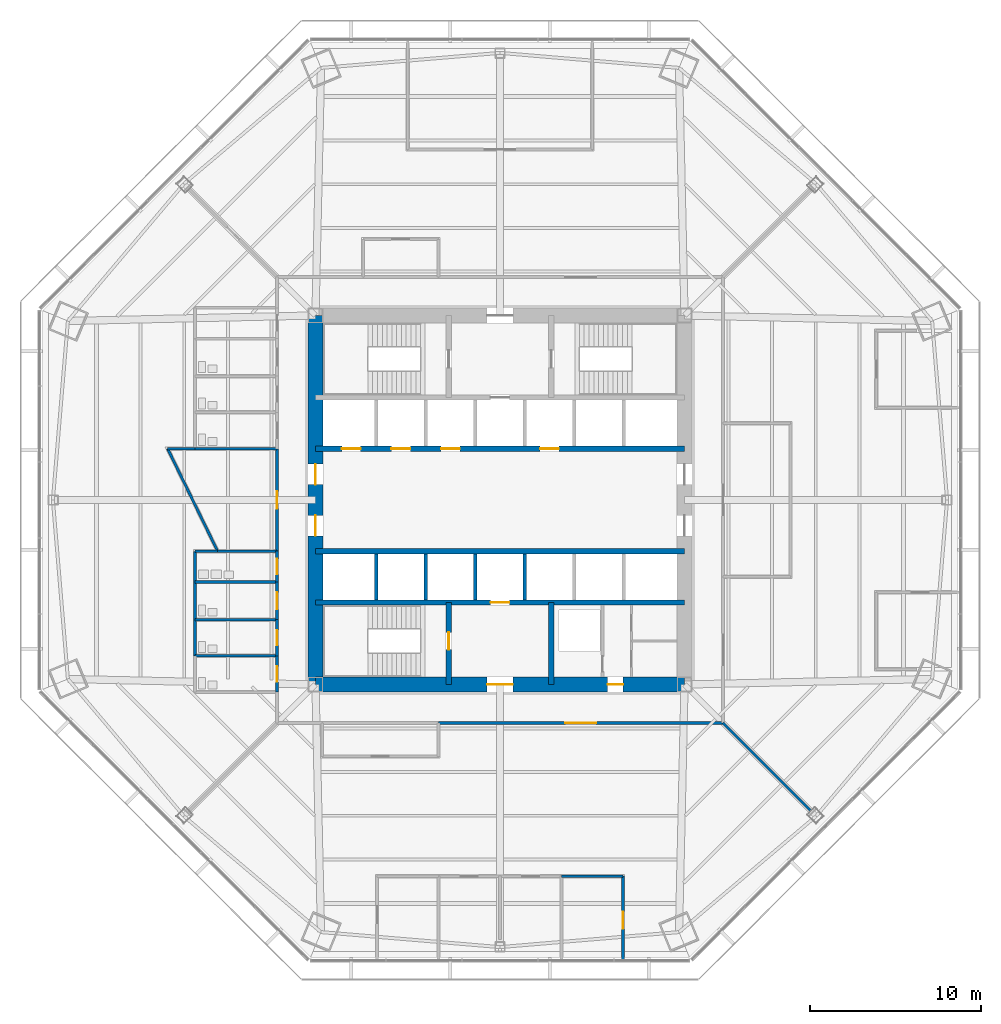
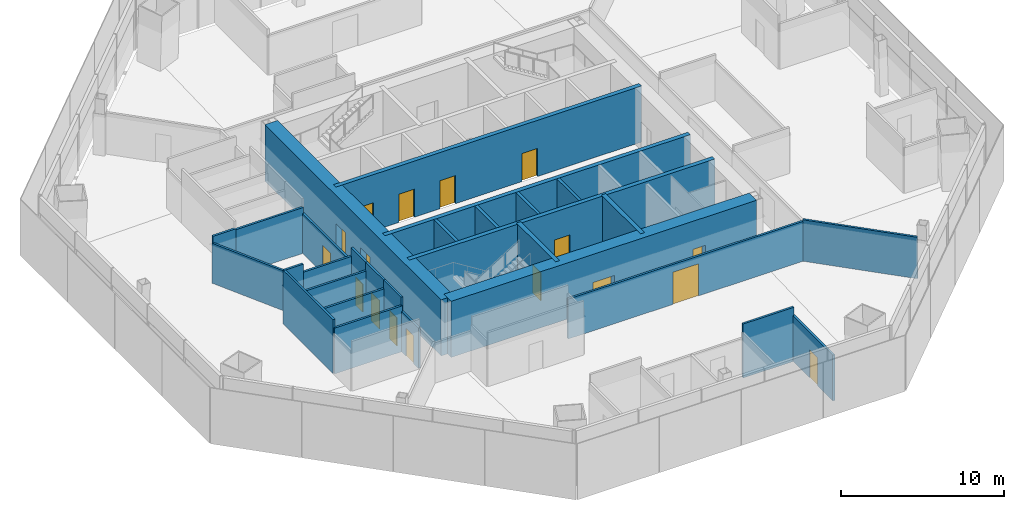
# One storey, part 9 of 15: 29 walls, 17 doors, 17 openings.
"""IFC4 building model written with IfcOpenShell, lengths in metres."""

from ifc_helpers import new_model, si_unit, direction, frame, frame_2d, origin, place, context, subcontext, project, spatial, rectangle, extrude, material, layer, layer_set, type_object, element, fill, save


model = new_model("IFC4")

# Units and contexts
model_context = context("Model", 3, precision=1e-05, world=origin(), true_north=direction((0.0, 1.0)))
body_context = subcontext(model_context, "Body", "Model", "MODEL_VIEW")
ifc_project = project(units=[si_unit("LENGTHUNIT", "METRE"), si_unit("AREAUNIT", "SQUARE_METRE"), si_unit("VOLUMEUNIT", "CUBIC_METRE"), si_unit("PLANEANGLEUNIT", "RADIAN"), si_unit("MASSUNIT", "GRAM", prefix="KILO")], contexts=[model_context])

# Site, building, storey
site_placement = place(None, origin())
site = spatial("IfcSite", under=ifc_project, at=site_placement, CompositionType="ELEMENT")
building_placement = place(site_placement, origin())
building = spatial("IfcBuilding", under=site, at=building_placement, Name="Mashrafa Tower", CompositionType="ELEMENT")
storey_placement = place(building_placement, frame((0.0, 0.0, 37.199951171875)))
storey = spatial("IfcBuildingStorey", under=building, at=storey_placement, Name="L07", CompositionType="ELEMENT", Elevation=37.199951171875)

# Wall, openings, doors
ifc_material_1 = material(Name="Concrete C60/75", Category="concrete")
ifc_layer_1 = layer(ifc_material_1, 0.300048828125)
ifc_layer_set_1 = layer_set([ifc_layer_1], Name="Core wall 300 C60/75")
wall_type_1 = type_object("IfcWallType", Name="Core wall 300 C60/75", PredefinedType="SOLIDWALL", material=ifc_layer_set_1)
wall_1_placement = place(storey_placement, frame((-10.800048828125, 3.0, 0.0), z_axis=(0.0, 0.0, 1.0), x_axis=(1.0, 0.0, 0.0)))
wall_1 = element("IfcWall", 1, at=wall_1_placement, inside=storey, type_object=wall_type_1, Name="Core wall CH-N L07", PredefinedType="SOLIDWALL", context=body_context, shape_type="SweptSolid", body=[
    extrude(rectangle(XDim=21.60009765625, YDim=0.300048828125, at=frame_2d((10.800048828125, 0.0))), origin(), (0.0, 0.0, 1.0), 4.199951171875),
])
opening_1_placement = place(wall_1_placement, frame((1.550048828125, 0.0, 0.0)))
opening_1 = element("IfcOpeningElement", 2, at=opening_1_placement, cuts=wall_1, Name="Opening 07.A1", PredefinedType="OPENING", context=body_context, shape_type="SweptSolid", body=[
    extrude(rectangle(XDim=1.10009765625, YDim=2.10009765625, at=frame_2d((0.550048828125, 1.050048828125))), frame((0.0, 0.159912109375, 0.0), z_axis=(0.0, -1.0, 0.0), x_axis=(1.0, 0.0, 0.0)), (0.0, 0.0, 1.0), 0.320068359375),
])
opening_2_placement = place(wall_1_placement, frame((4.449951171875, 0.0, 0.0)))
opening_2 = element("IfcOpeningElement", 3, at=opening_2_placement, cuts=wall_1, Name="Opening 07.A2", PredefinedType="OPENING", context=body_context, shape_type="SweptSolid", body=[
    extrude(rectangle(XDim=1.10009765625, YDim=2.10009765625, at=frame_2d((0.550048828125, 1.050048828125))), frame((0.0, 0.159912109375, 0.0), z_axis=(0.0, -1.0, 0.0), x_axis=(1.0, 0.0, 0.0)), (0.0, 0.0, 1.0), 0.320068359375),
])
opening_3_placement = place(wall_1_placement, frame((7.35009765625, 0.0, 0.0)))
opening_3 = element("IfcOpeningElement", 4, at=opening_3_placement, cuts=wall_1, Name="Opening 07.A3", PredefinedType="OPENING", context=body_context, shape_type="SweptSolid", body=[
    extrude(rectangle(XDim=1.10009765625, YDim=2.10009765625, at=frame_2d((0.550048828125, 1.050048828125))), frame((0.0, 0.159912109375, 0.0), z_axis=(0.0, -1.0, 0.0), x_axis=(1.0, 0.0, 0.0)), (0.0, 0.0, 1.0), 0.320068359375),
])
opening_4_placement = place(wall_1_placement, frame((13.14990234375, 0.0, 0.0)))
opening_4 = element("IfcOpeningElement", 5, at=opening_4_placement, cuts=wall_1, Name="Opening 07.A4", PredefinedType="OPENING", context=body_context, shape_type="SweptSolid", body=[
    extrude(rectangle(XDim=1.10009765625, YDim=2.10009765625, at=frame_2d((0.550048828125, 1.050048828125))), frame((0.0, 0.159912109375, 0.0), z_axis=(0.0, -1.0, 0.0), x_axis=(1.0, 0.0, 0.0)), (0.0, 0.0, 1.0), 0.320068359375),
])
ifc_material_2 = material(Name="Steel door", Category="steel")
door_type_1 = type_object("IfcDoorType", Name="Lift landing door 1100 x 2100 90 min", OperationType="DOUBLE_DOOR_SLIDING", PredefinedType="DOOR", material=ifc_material_2)
door_1_placement = place(opening_1_placement, origin())
door_1 = element("IfcDoor", 6, at=door_1_placement, inside=storey, type_object=door_type_1, Name="Lift landing door A1 L07", OperationType="DOUBLE_DOOR_SLIDING", OverallHeight=2.10009765625, OverallWidth=1.10009765625, PredefinedType="DOOR", context=body_context, shape_type="SweptSolid", body=[
    extrude(rectangle(XDim=1.10009765625, YDim=2.10009765625, at=frame_2d((0.550048828125, 1.050048828125))), frame((0.0, 0.02490234375, 0.0), z_axis=(0.0, -1.0, 0.0), x_axis=(1.0, 0.0, 0.0)), (0.0, 0.0, 1.0), 0.050048828125),
])
fill(opening_1, door_1)
door_2_placement = place(opening_2_placement, origin())
door_2 = element("IfcDoor", 7, at=door_2_placement, inside=storey, type_object=door_type_1, Name="Lift landing door A2 L07", OperationType="DOUBLE_DOOR_SLIDING", OverallHeight=2.10009765625, OverallWidth=1.10009765625, PredefinedType="DOOR", context=body_context, shape_type="SweptSolid", body=[
    extrude(rectangle(XDim=1.10009765625, YDim=2.10009765625, at=frame_2d((0.550048828125, 1.050048828125))), frame((0.0, 0.02490234375, 0.0), z_axis=(0.0, -1.0, 0.0), x_axis=(1.0, 0.0, 0.0)), (0.0, 0.0, 1.0), 0.050048828125),
])
fill(opening_2, door_2)
door_3_placement = place(opening_3_placement, origin())
door_3 = element("IfcDoor", 8, at=door_3_placement, inside=storey, type_object=door_type_1, Name="Lift landing door A3 L07", OperationType="DOUBLE_DOOR_SLIDING", OverallHeight=2.10009765625, OverallWidth=1.10009765625, PredefinedType="DOOR", context=body_context, shape_type="SweptSolid", body=[
    extrude(rectangle(XDim=1.10009765625, YDim=2.10009765625, at=frame_2d((0.550048828125, 1.050048828125))), frame((0.0, 0.02490234375, 0.0), z_axis=(0.0, -1.0, 0.0), x_axis=(1.0, 0.0, 0.0)), (0.0, 0.0, 1.0), 0.050048828125),
])
fill(opening_3, door_3)
door_4_placement = place(opening_4_placement, origin())
door_4 = element("IfcDoor", 9, at=door_4_placement, inside=storey, type_object=door_type_1, Name="Lift landing door A4 L07", OperationType="DOUBLE_DOOR_SLIDING", OverallHeight=2.10009765625, OverallWidth=1.10009765625, PredefinedType="DOOR", context=body_context, shape_type="SweptSolid", body=[
    extrude(rectangle(XDim=1.10009765625, YDim=2.10009765625, at=frame_2d((0.550048828125, 1.050048828125))), frame((0.0, 0.02490234375, 0.0), z_axis=(0.0, -1.0, 0.0), x_axis=(1.0, 0.0, 0.0)), (0.0, 0.0, 1.0), 0.050048828125),
])
fill(opening_4, door_4)

# Wall
wall_2_placement = place(storey_placement, frame((-10.800048828125, -3.0, 0.0), z_axis=(0.0, 0.0, 1.0), x_axis=(1.0, 0.0, 0.0)))
element("IfcWall", 10, at=wall_2_placement, inside=storey, type_object=wall_type_1, Name="Core wall CH-S L07", PredefinedType="SOLIDWALL", context=body_context, shape_type="SweptSolid", body=[
    extrude(rectangle(XDim=21.60009765625, YDim=0.300048828125, at=frame_2d((10.800048828125, 0.0))), origin(), (0.0, 0.0, 1.0), 4.199951171875),
])

# Wall, opening, door
wall_3_placement = place(storey_placement, frame((-10.800048828125, -6.0, 0.0), z_axis=(0.0, 0.0, 1.0), x_axis=(1.0, 0.0, 0.0)))
wall_3 = element("IfcWall", 11, at=wall_3_placement, inside=storey, type_object=wall_type_1, Name="Core wall CB-S L07", PredefinedType="SOLIDWALL", context=body_context, shape_type="SweptSolid", body=[
    extrude(rectangle(XDim=21.60009765625, YDim=0.300048828125, at=frame_2d((10.800048828125, 0.0))), origin(), (0.0, 0.0, 1.0), 4.199951171875),
])
opening_5_placement = place(wall_3_placement, frame((10.25, 0.0, 0.0)))
opening_5 = element("IfcOpeningElement", 12, at=opening_5_placement, cuts=wall_3, Name="Opening 07.F2", PredefinedType="OPENING", context=body_context, shape_type="SweptSolid", body=[
    extrude(rectangle(XDim=1.10009765625, YDim=2.10009765625, at=frame_2d((0.550048828125, 1.050048828125))), frame((0.0, 0.159912109375, 0.0), z_axis=(0.0, -1.0, 0.0), x_axis=(1.0, 0.0, 0.0)), (0.0, 0.0, 1.0), 0.320068359375),
])
door_5_placement = place(opening_5_placement, origin())
door_5 = element("IfcDoor", 13, at=door_5_placement, inside=storey, type_object=door_type_1, Name="Lift landing door F2 L07", OperationType="DOUBLE_DOOR_SLIDING", OverallHeight=2.10009765625, OverallWidth=1.10009765625, PredefinedType="DOOR", context=body_context, shape_type="SweptSolid", body=[
    extrude(rectangle(XDim=1.10009765625, YDim=2.10009765625, at=frame_2d((0.550048828125, 1.050048828125))), frame((0.0, 0.02490234375, 0.0), z_axis=(0.0, -1.0, 0.0), x_axis=(1.0, 0.0, 0.0)), (0.0, 0.0, 1.0), 0.050048828125),
])
fill(opening_5, door_5)

wall_4_placement = place(storey_placement, frame((-3.0, -6.0, 0.0), z_axis=(0.0, 0.0, 1.0), x_axis=(0.0, -1.0, 0.0)))
wall_4 = element("IfcWall", 14, at=wall_4_placement, inside=storey, type_object=wall_type_1, Name="Core wall CX-SW L07", PredefinedType="SOLIDWALL", context=body_context, shape_type="SweptSolid", body=[
    extrude(rectangle(XDim=4.800048828125, YDim=0.300048828125, at=frame_2d((2.39990234375, 0.0))), origin(), (0.0, 0.0, 1.0), 4.199951171875),
])
opening_6_placement = place(wall_4_placement, frame((1.75, 0.0, 0.0)))
opening_6 = element("IfcOpeningElement", 15, at=opening_6_placement, cuts=wall_4, Name="Opening 07.032", PredefinedType="OPENING", context=body_context, shape_type="SweptSolid", body=[
    extrude(rectangle(XDim=1.0, YDim=2.10009765625, at=frame_2d((0.5, 1.050048828125))), frame((0.0, 0.159912109375, 0.0), z_axis=(0.0, -1.0, 0.0), x_axis=(1.0, 0.0, 0.0)), (0.0, 0.0, 1.0), 0.320068359375),
])
ifc_material_3 = material(Name="Steel door", Category="steel")
door_type_2 = type_object("IfcDoorType", Name="Stair door 1000 x 2100 90 min", OperationType="USERDEFINED", PredefinedType="DOOR", material=ifc_material_3)
door_6_placement = place(opening_6_placement, frame((1.0, 0.0, 0.0), z_axis=(0.0, 0.0, 1.0), x_axis=(-1.0, 0.0, 0.0)))
door_6 = element("IfcDoor", 16, at=door_6_placement, inside=storey, type_object=door_type_2, Name="Stair S3 door L07", OperationType="SINGLE_SWING_RIGHT", OverallHeight=2.10009765625, OverallWidth=1.0, PredefinedType="DOOR", context=body_context, shape_type="SweptSolid", body=[
    extrude(rectangle(XDim=1.0, YDim=2.10009765625, at=frame_2d((0.5, 1.050048828125))), frame((0.0, 0.02490234375, 0.0), z_axis=(0.0, -1.0, 0.0), x_axis=(1.0, 0.0, 0.0)), (0.0, 0.0, 1.0), 0.050048828125),
])
fill(opening_6, door_6)

# Wall
wall_5_placement = place(storey_placement, frame((3.0, -6.0, 0.0), z_axis=(0.0, 0.0, 1.0), x_axis=(0.0, -1.0, 0.0)))
element("IfcWall", 17, at=wall_5_placement, inside=storey, type_object=wall_type_1, Name="Core wall CX-SE L07", PredefinedType="SOLIDWALL", context=body_context, shape_type="SweptSolid", body=[
    extrude(rectangle(XDim=4.800048828125, YDim=0.300048828125, at=frame_2d((2.39990234375, 0.0))), origin(), (0.0, 0.0, 1.0), 4.199951171875),
])

# Wall, openings, doors
ifc_material_4 = material(Name="Concrete C60/75", Category="concrete")
ifc_layer_2 = layer(ifc_material_4, 0.89990234375)
ifc_layer_set_2 = layer_set([ifc_layer_2], Name="Core wall 900 C60/75")
wall_type_2 = type_object("IfcWallType", Name="Core wall 900 C60/75", PredefinedType="SOLIDWALL", material=ifc_layer_set_2)
wall_6_placement = place(storey_placement, frame((-10.800048828125, -10.800048828125, 0.0), z_axis=(0.0, 0.0, 1.0), x_axis=(1.0, 0.0, 0.0)))
wall_6 = element("IfcWall", 18, at=wall_6_placement, inside=storey, type_object=wall_type_2, Name="Core wall CW-S L07", PredefinedType="SOLIDWALL", context=body_context, shape_type="SweptSolid", body=[
    extrude(rectangle(XDim=21.60009765625, YDim=0.89990234375, at=frame_2d((10.800048828125, 0.0))), origin(), (0.0, 0.0, 1.0), 4.199951171875),
])
opening_7_placement = place(wall_6_placement, frame((10.050048828125, 0.0, 0.0)))
opening_7 = element("IfcOpeningElement", 19, at=opening_7_placement, cuts=wall_6, Name="Opening 07.029", PredefinedType="OPENING", context=body_context, shape_type="SweptSolid", body=[
    extrude(rectangle(XDim=1.5, YDim=2.10009765625, at=frame_2d((0.75, 1.050048828125))), frame((0.0, 0.4599609375, 0.0), z_axis=(0.0, -1.0, 0.0), x_axis=(1.0, 0.0, 0.0)), (0.0, 0.0, 1.0), 0.919921875),
])
opening_8_placement = place(wall_6_placement, frame((17.10009765625, 0.0, 0.0)))
opening_8 = element("IfcOpeningElement", 20, at=opening_8_placement, cuts=wall_6, Name="Opening 07.033", PredefinedType="OPENING", context=body_context, shape_type="SweptSolid", body=[
    extrude(rectangle(XDim=0.89990234375, YDim=2.10009765625, at=frame_2d((0.449951171875, 1.050048828125))), frame((0.0, 0.4599609375, 0.0), z_axis=(0.0, -1.0, 0.0), x_axis=(1.0, 0.0, 0.0)), (0.0, 0.0, 1.0), 0.919921875),
])
ifc_material_5 = material(Name="Steel door", Category="steel")
door_type_3 = type_object("IfcDoorType", Name="Lobby door pair 1500 x 2100 90 min", OperationType="DOUBLE_DOOR_SINGLE_SWING", PredefinedType="DOOR", material=ifc_material_5)
door_7_placement = place(opening_7_placement, origin())
door_7 = element("IfcDoor", 21, at=door_7_placement, inside=storey, type_object=door_type_3, Name="Fire-fighting lobby F2 door L07", OperationType="DOUBLE_DOOR_SINGLE_SWING", OverallHeight=2.10009765625, OverallWidth=1.5, PredefinedType="DOOR", context=body_context, shape_type="SweptSolid", body=[
    extrude(rectangle(XDim=1.5, YDim=2.10009765625, at=frame_2d((0.75, 1.050048828125))), frame((0.0, 0.02490234375, 0.0), z_axis=(0.0, -1.0, 0.0), x_axis=(1.0, 0.0, 0.0)), (0.0, 0.0, 1.0), 0.050048828125),
])
fill(opening_7, door_7)
ifc_material_6 = material(Name="Steel door", Category="steel")
door_type_4 = type_object("IfcDoorType", Name="Service door 900 x 2100 90 min", OperationType="USERDEFINED", PredefinedType="DOOR", material=ifc_material_6)
door_8_placement = place(opening_8_placement, frame((0.89990234375, 0.0, 0.0), z_axis=(0.0, 0.0, 1.0), x_axis=(-1.0, 0.0, 0.0)))
door_8 = element("IfcDoor", 22, at=door_8_placement, inside=storey, type_object=door_type_4, Name="Services Lobby L07 door", OperationType="SINGLE_SWING_LEFT", OverallHeight=2.10009765625, OverallWidth=0.89990234375, PredefinedType="DOOR", context=body_context, shape_type="SweptSolid", body=[
    extrude(rectangle(XDim=0.89990234375, YDim=2.10009765625, at=frame_2d((0.449951171875, 1.050048828125))), frame((0.0, 0.02490234375, 0.0), z_axis=(0.0, -1.0, 0.0), x_axis=(1.0, 0.0, 0.0)), (0.0, 0.0, 1.0), 0.050048828125),
])
fill(opening_8, door_8)

wall_7_placement = place(storey_placement, frame((-10.800048828125, 10.800048828125, 0.0), z_axis=(0.0, 0.0, 1.0), x_axis=(0.0, -1.0, 0.0)))
wall_7 = element("IfcWall", 23, at=wall_7_placement, inside=storey, type_object=wall_type_2, Name="Core wall CW-W L07", PredefinedType="SOLIDWALL", context=body_context, shape_type="SweptSolid", body=[
    extrude(rectangle(XDim=21.60009765625, YDim=0.89990234375, at=frame_2d((10.800048828125, 0.0))), origin(), (0.0, 0.0, 1.0), 4.199951171875),
])
opening_9_placement = place(wall_7_placement, frame((8.699951171875, 0.0, 0.0)))
opening_9 = element("IfcOpeningElement", 24, at=opening_9_placement, cuts=wall_7, Name="Opening 07.025", PredefinedType="OPENING", context=body_context, shape_type="SweptSolid", body=[
    extrude(rectangle(XDim=1.199951171875, YDim=2.10009765625, at=frame_2d((0.60009765625, 1.050048828125))), frame((0.0, 0.4599609375, 0.0), z_axis=(0.0, -1.0, 0.0), x_axis=(1.0, 0.0, 0.0)), (0.0, 0.0, 1.0), 0.919921875),
])
opening_10_placement = place(wall_7_placement, frame((11.699951171875, 0.0, 0.0)))
opening_10 = element("IfcOpeningElement", 25, at=opening_10_placement, cuts=wall_7, Name="Opening 07.027", PredefinedType="OPENING", context=body_context, shape_type="SweptSolid", body=[
    extrude(rectangle(XDim=1.199951171875, YDim=2.10009765625, at=frame_2d((0.60009765625, 1.050048828125))), frame((0.0, 0.4599609375, 0.0), z_axis=(0.0, -1.0, 0.0), x_axis=(1.0, 0.0, 0.0)), (0.0, 0.0, 1.0), 0.919921875),
])
ifc_material_7 = material(Name="Steel door", Category="steel")
door_type_5 = type_object("IfcDoorType", Name="Lift hall door 1200 x 2100 90 min", OperationType="USERDEFINED", PredefinedType="DOOR", material=ifc_material_7)
door_9_placement = place(opening_9_placement, frame((1.199951171875, 0.0, 0.0), z_axis=(0.0, 0.0, 1.0), x_axis=(-1.0, 0.0, 0.0)))
door_9 = element("IfcDoor", 26, at=door_9_placement, inside=storey, type_object=door_type_5, Name="Lift hall door west L07", OperationType="SINGLE_SWING_RIGHT", OverallHeight=2.10009765625, OverallWidth=1.199951171875, PredefinedType="DOOR", context=body_context, shape_type="SweptSolid", body=[
    extrude(rectangle(XDim=1.199951171875, YDim=2.10009765625, at=frame_2d((0.60009765625, 1.050048828125))), frame((0.0, 0.02490234375, 0.0), z_axis=(0.0, -1.0, 0.0), x_axis=(1.0, 0.0, 0.0)), (0.0, 0.0, 1.0), 0.050048828125),
])
fill(opening_9, door_9)
door_10_placement = place(opening_10_placement, frame((1.199951171875, 0.0, 0.0), z_axis=(0.0, 0.0, 1.0), x_axis=(-1.0, 0.0, 0.0)))
door_10 = element("IfcDoor", 27, at=door_10_placement, inside=storey, type_object=door_type_5, Name="Lift hall door west L07", OperationType="SINGLE_SWING_LEFT", OverallHeight=2.10009765625, OverallWidth=1.199951171875, PredefinedType="DOOR", context=body_context, shape_type="SweptSolid", body=[
    extrude(rectangle(XDim=1.199951171875, YDim=2.10009765625, at=frame_2d((0.60009765625, 1.050048828125))), frame((0.0, 0.02490234375, 0.0), z_axis=(0.0, -1.0, 0.0), x_axis=(1.0, 0.0, 0.0)), (0.0, 0.0, 1.0), 0.050048828125),
])
fill(opening_10, door_10)

# Wall, opening, door
ifc_material_8 = material(Name="Gypsum board on steel studs", Category="steel")
ifc_layer_3 = layer(ifc_material_8, 0.14990234375)
ifc_layer_set_3 = layer_set([ifc_layer_3], Name="Corridor partition 150 1 hr")
wall_type_3 = type_object("IfcWallType", Name="Corridor partition 150 1 hr", PredefinedType="PARTITIONING", material=ifc_layer_set_3)
wall_8_placement = place(storey_placement, frame((-13.050048828125, -9.1240234375, 0.0), z_axis=(0.0, 0.0, 1.0), x_axis=(0.0, -1.0, 0.0)))
wall_8 = element("IfcWall", 28, at=wall_8_placement, inside=storey, type_object=wall_type_3, Name="Corridor wall L07-005", PredefinedType="PARTITIONING", context=body_context, shape_type="SweptSolid", body=[
    extrude(rectangle(XDim=2.126953125, YDim=0.14990234375, at=frame_2d((1.0634765625, 0.0))), origin(), (0.0, 0.0, 1.0), 3.01416015625),
])
opening_11_placement = place(wall_8_placement, frame((0.613525390625, 0.0, 0.0)))
opening_11 = element("IfcOpeningElement", 29, at=opening_11_placement, cuts=wall_8, Name="Opening 07.005", PredefinedType="OPENING", context=body_context, shape_type="SweptSolid", body=[
    extrude(rectangle(XDim=0.89990234375, YDim=2.10009765625, at=frame_2d((0.449951171875, 1.050048828125))), frame((0.0, 0.0849609375, 0.0), z_axis=(0.0, -1.0, 0.0), x_axis=(1.0, 0.0, 0.0)), (0.0, 0.0, 1.0), 0.169921875),
])
ifc_material_9 = material(Name="Timber door", Category="wood")
door_type_6 = type_object("IfcDoorType", Name="Toilet door 900 x 2100", OperationType="USERDEFINED", PredefinedType="DOOR", material=ifc_material_9)
door_11_placement = place(opening_11_placement, frame((0.89990234375, 0.0, 0.0), z_axis=(0.0, 0.0, 1.0), x_axis=(-1.0, 0.0, 0.0)))
door_11 = element("IfcDoor", 30, at=door_11_placement, inside=storey, type_object=door_type_6, Name="WC Female L07 S door", OperationType="SINGLE_SWING_RIGHT", OverallHeight=2.10009765625, OverallWidth=0.89990234375, PredefinedType="DOOR", context=body_context, shape_type="SweptSolid", body=[
    extrude(rectangle(XDim=0.89990234375, YDim=2.10009765625, at=frame_2d((0.449951171875, 1.050048828125))), frame((0.0, 0.02490234375, 0.0), z_axis=(0.0, -1.0, 0.0), x_axis=(1.0, 0.0, 0.0)), (0.0, 0.0, 1.0), 0.050048828125),
])
fill(opening_11, door_11)

wall_9_placement = place(storey_placement, frame((-13.050048828125, -6.9990234375, 0.0), z_axis=(0.0, 0.0, 1.0), x_axis=(0.0, -1.0, 0.0)))
wall_9 = element("IfcWall", 31, at=wall_9_placement, inside=storey, type_object=wall_type_3, Name="Corridor wall L07-006", PredefinedType="PARTITIONING", context=body_context, shape_type="SweptSolid", body=[
    extrude(rectangle(XDim=2.126953125, YDim=0.14990234375, at=frame_2d((1.0634765625, 0.0))), origin(), (0.0, 0.0, 1.0), 4.03515625),
])
opening_12_placement = place(wall_9_placement, frame((0.613525390625, 0.0, 0.0)))
opening_12 = element("IfcOpeningElement", 32, at=opening_12_placement, cuts=wall_9, Name="Opening 07.006", PredefinedType="OPENING", context=body_context, shape_type="SweptSolid", body=[
    extrude(rectangle(XDim=0.89990234375, YDim=2.10009765625, at=frame_2d((0.449951171875, 1.050048828125))), frame((0.0, 0.0849609375, 0.0), z_axis=(0.0, -1.0, 0.0), x_axis=(1.0, 0.0, 0.0)), (0.0, 0.0, 1.0), 0.169921875),
])
door_12_placement = place(opening_12_placement, frame((0.89990234375, 0.0, 0.0), z_axis=(0.0, 0.0, 1.0), x_axis=(-1.0, 0.0, 0.0)))
door_12 = element("IfcDoor", 33, at=door_12_placement, inside=storey, type_object=door_type_6, Name="WC Male L07 S door", OperationType="SINGLE_SWING_RIGHT", OverallHeight=2.10009765625, OverallWidth=0.89990234375, PredefinedType="DOOR", context=body_context, shape_type="SweptSolid", body=[
    extrude(rectangle(XDim=0.89990234375, YDim=2.10009765625, at=frame_2d((0.449951171875, 1.050048828125))), frame((0.0, 0.02490234375, 0.0), z_axis=(0.0, -1.0, 0.0), x_axis=(1.0, 0.0, 0.0)), (0.0, 0.0, 1.0), 0.050048828125),
])
fill(opening_12, door_12)

wall_10_placement = place(storey_placement, frame((-13.050048828125, -4.799072265625, 0.0), z_axis=(0.0, 0.0, 1.0), x_axis=(0.0, -1.0, 0.0)))
wall_10 = element("IfcWall", 34, at=wall_10_placement, inside=storey, type_object=wall_type_3, Name="Corridor wall L07-007", PredefinedType="PARTITIONING", context=body_context, shape_type="SweptSolid", body=[
    extrude(rectangle(XDim=2.201904296875, YDim=0.14990234375, at=frame_2d((1.10107421875, 0.0))), origin(), (0.0, 0.0, 1.0), 4.03515625),
])
opening_13_placement = place(wall_10_placement, frame((0.60107421875, 0.0, 0.0)))
opening_13 = element("IfcOpeningElement", 35, at=opening_13_placement, cuts=wall_10, Name="Opening 07.007", PredefinedType="OPENING", context=body_context, shape_type="SweptSolid", body=[
    extrude(rectangle(XDim=1.0, YDim=2.10009765625, at=frame_2d((0.5, 1.050048828125))), frame((0.0, 0.0849609375, 0.0), z_axis=(0.0, -1.0, 0.0), x_axis=(1.0, 0.0, 0.0)), (0.0, 0.0, 1.0), 0.169921875),
])
ifc_material_10 = material(Name="Timber door", Category="wood")
door_type_7 = type_object("IfcDoorType", Name="Accessible toilet door 1000 x 2100", OperationType="USERDEFINED", PredefinedType="DOOR", material=ifc_material_10)
door_13_placement = place(opening_13_placement, frame((1.0, 0.0, 0.0), z_axis=(0.0, 0.0, 1.0), x_axis=(-1.0, 0.0, 0.0)))
door_13 = element("IfcDoor", 36, at=door_13_placement, inside=storey, type_object=door_type_7, Name="Accessible WC L07 S door", OperationType="SINGLE_SWING_LEFT", OverallHeight=2.10009765625, OverallWidth=1.0, PredefinedType="DOOR", context=body_context, shape_type="SweptSolid", body=[
    extrude(rectangle(XDim=1.0, YDim=2.10009765625, at=frame_2d((0.5, 1.050048828125))), frame((0.0, 0.02490234375, 0.0), z_axis=(0.0, -1.0, 0.0), x_axis=(1.0, 0.0, 0.0)), (0.0, 0.0, 1.0), 0.050048828125),
])
fill(opening_13, door_13)

wall_11_placement = place(storey_placement, frame((-13.050048828125, -2.9990234375, 0.0), z_axis=(0.0, 0.0, 1.0), x_axis=(0.0, -1.0, 0.0)))
wall_11 = element("IfcWall", 37, at=wall_11_placement, inside=storey, type_object=wall_type_3, Name="Corridor wall L07-008", PredefinedType="PARTITIONING", context=body_context, shape_type="SweptSolid", body=[
    extrude(rectangle(XDim=1.802001953125, YDim=0.14990234375, at=frame_2d((0.90087890625, 0.0))), origin(), (0.0, 0.0, 1.0), 4.03515625),
])
opening_14_placement = place(wall_11_placement, frame((0.450927734375, 0.0, 0.0)))
opening_14 = element("IfcOpeningElement", 38, at=opening_14_placement, cuts=wall_11, Name="Opening 07.008", PredefinedType="OPENING", context=body_context, shape_type="SweptSolid", body=[
    extrude(rectangle(XDim=0.89990234375, YDim=2.10009765625, at=frame_2d((0.449951171875, 1.050048828125))), frame((0.0, 0.0849609375, 0.0), z_axis=(0.0, -1.0, 0.0), x_axis=(1.0, 0.0, 0.0)), (0.0, 0.0, 1.0), 0.169921875),
])
door_14_placement = place(opening_14_placement, frame((0.89990234375, 0.0, 0.0), z_axis=(0.0, 0.0, 1.0), x_axis=(-1.0, 0.0, 0.0)))
door_14 = element("IfcDoor", 39, at=door_14_placement, inside=storey, type_object=door_type_6, Name="Ablution Room L07 S door", OperationType="SINGLE_SWING_RIGHT", OverallHeight=2.10009765625, OverallWidth=0.89990234375, PredefinedType="DOOR", context=body_context, shape_type="SweptSolid", body=[
    extrude(rectangle(XDim=0.89990234375, YDim=2.10009765625, at=frame_2d((0.449951171875, 1.050048828125))), frame((0.0, 0.02490234375, 0.0), z_axis=(0.0, -1.0, 0.0), x_axis=(1.0, 0.0, 0.0)), (0.0, 0.0, 1.0), 0.050048828125),
])
fill(opening_14, door_14)

wall_12_placement = place(storey_placement, frame((-13.050048828125, 3.0009765625, 0.0), z_axis=(0.0, 0.0, 1.0), x_axis=(0.0, -1.0, 0.0)))
wall_12 = element("IfcWall", 40, at=wall_12_placement, inside=storey, type_object=wall_type_3, Name="Corridor wall L07-009", PredefinedType="PARTITIONING", context=body_context, shape_type="SweptSolid", body=[
    extrude(rectangle(XDim=6.001953125, YDim=0.14990234375, at=frame_2d((3.0009765625, 0.0))), origin(), (0.0, 0.0, 1.0), 2.983642578125),
])
opening_15_placement = place(wall_12_placement, frame((2.5009765625, 0.0, 0.0)))
opening_15 = element("IfcOpeningElement", 41, at=opening_15_placement, cuts=wall_12, Name="Opening 07.009", PredefinedType="OPENING", context=body_context, shape_type="SweptSolid", body=[
    extrude(rectangle(XDim=1.0, YDim=2.10009765625, at=frame_2d((0.5, 1.050048828125))), frame((0.0, 0.0849609375, 0.0), z_axis=(0.0, -1.0, 0.0), x_axis=(1.0, 0.0, 0.0)), (0.0, 0.0, 1.0), 0.169921875),
])
ifc_material_11 = material(Name="Timber door", Category="wood")
door_type_8 = type_object("IfcDoorType", Name="Door 1000 x 2100", OperationType="USERDEFINED", PredefinedType="DOOR", material=ifc_material_11)
door_15_placement = place(opening_15_placement, frame((1.0, 0.0, 0.0), z_axis=(0.0, 0.0, 1.0), x_axis=(-1.0, 0.0, 0.0)))
door_15 = element("IfcDoor", 42, at=door_15_placement, inside=storey, type_object=door_type_8, Name="Musallah Prayer Room 07 door", OperationType="SINGLE_SWING_LEFT", OverallHeight=2.10009765625, OverallWidth=1.0, PredefinedType="DOOR", context=body_context, shape_type="SweptSolid", body=[
    extrude(rectangle(XDim=1.0, YDim=2.10009765625, at=frame_2d((0.5, 1.050048828125))), frame((0.0, 0.02490234375, 0.0), z_axis=(0.0, -1.0, 0.0), x_axis=(1.0, 0.0, 0.0)), (0.0, 0.0, 1.0), 0.050048828125),
])
fill(opening_15, door_15)

wall_13_placement = place(storey_placement, frame((-3.60107421875, -13.050048828125, 0.0), z_axis=(0.0, 0.0, 1.0), x_axis=(1.0, 0.0, 0.0)))
wall_13 = element("IfcWall", 43, at=wall_13_placement, inside=storey, type_object=wall_type_3, Name="Corridor wall L07-018", PredefinedType="PARTITIONING", context=body_context, shape_type="SweptSolid", body=[
    extrude(rectangle(XDim=16.651123046875, YDim=0.14990234375, at=frame_2d((8.32568359375, 0.0))), origin(), (0.0, 0.0, 1.0), 2.983642578125),
])
opening_16_placement = place(wall_13_placement, frame((7.425537109375, 0.0, 0.0)))
opening_16 = element("IfcOpeningElement", 44, at=opening_16_placement, cuts=wall_13, Name="Opening 07.022", PredefinedType="OPENING", context=body_context, shape_type="SweptSolid", body=[
    extrude(rectangle(XDim=1.800048828125, YDim=2.39990234375, at=frame_2d((0.89990234375, 1.199951171875))), frame((0.0, 0.0849609375, 0.0), z_axis=(0.0, -1.0, 0.0), x_axis=(1.0, 0.0, 0.0)), (0.0, 0.0, 1.0), 0.169921875),
])
ifc_material_12 = material(Name="Timber door", Category="wood")
door_type_9 = type_object("IfcDoorType", Name="Door pair 1800 x 2400", OperationType="DOUBLE_DOOR_SINGLE_SWING", PredefinedType="DOOR", material=ifc_material_12)
door_16_placement = place(opening_16_placement, frame((1.800048828125, 0.0, 0.0), z_axis=(0.0, 0.0, 1.0), x_axis=(-1.0, 0.0, 0.0)))
door_16 = element("IfcDoor", 45, at=door_16_placement, inside=storey, type_object=door_type_9, Name="Treasury Operations Office 07 door", OperationType="DOUBLE_DOOR_SINGLE_SWING", OverallHeight=2.39990234375, OverallWidth=1.800048828125, PredefinedType="DOOR", context=body_context, shape_type="SweptSolid", body=[
    extrude(rectangle(XDim=1.800048828125, YDim=2.39990234375, at=frame_2d((0.89990234375, 1.199951171875))), frame((0.0, 0.02490234375, 0.0), z_axis=(0.0, -1.0, 0.0), x_axis=(1.0, 0.0, 0.0)), (0.0, 0.0, 1.0), 0.050048828125),
])
fill(opening_16, door_16)

# Walls
ifc_material_13 = material(Name="Gypsum board on steel studs", Category="steel")
ifc_layer_4 = layer(ifc_material_13, 0.14990234375)
ifc_layer_set_4 = layer_set([ifc_layer_4], Name="Partition 150")
wall_type_4 = type_object("IfcWallType", Name="Partition 150", PredefinedType="PARTITIONING", material=ifc_layer_set_4)
for number, where, z_axis, x_axis, name in (
    (46, (-17.85009765625, 3.0, 0.0), (0.0, 0.0, 1.0), (1.0, 0.0, 0.0), "Partition wall L07-022"),
    (47, (-13.050048828125, -9.125, 0.0), (0.0, 0.0, 1.0), (-1.0, 0.0, 0.0), "Partition wall L07-030"),
    (48, (-13.050048828125, -7.0, 0.0), (0.0, 0.0, 1.0), (-1.0, 0.0, 0.0), "Partition wall L07-033"),
):
    element("IfcWall", number, at=place(storey_placement, frame(where, z_axis=z_axis, x_axis=x_axis)), inside=storey, type_object=wall_type_4, Name=name, PredefinedType="PARTITIONING", context=body_context, shape_type="SweptSolid", body=[
        extrude(rectangle(XDim=4.800048828125, YDim=0.14990234375, at=frame_2d((2.39990234375, 0.0))), origin(), (0.0, 0.0, 1.0), 3.425537109375),
    ])
wall_14_placement = place(storey_placement, frame((-17.85009765625, -9.125, 0.0), z_axis=(0.0, 0.0, 1.0), x_axis=(0.0, 1.0, 0.0)))
element("IfcWall", 49, at=wall_14_placement, inside=storey, type_object=wall_type_4, Name="Partition wall L07-034", PredefinedType="PARTITIONING", context=body_context, shape_type="SweptSolid", body=[
    extrude(rectangle(XDim=6.125, YDim=0.14990234375, at=frame_2d((3.0625, 0.0))), origin(), (0.0, 0.0, 1.0), 4.03515625),
])
wall_15_placement = place(storey_placement, frame((-13.050048828125, -4.800048828125, 0.0), z_axis=(0.0, 0.0, 1.0), x_axis=(-1.0, 0.0, 0.0)))
element("IfcWall", 50, at=wall_15_placement, inside=storey, type_object=wall_type_4, Name="Partition wall L07-035", PredefinedType="PARTITIONING", context=body_context, shape_type="SweptSolid", body=[
    extrude(rectangle(XDim=4.800048828125, YDim=0.14990234375, at=frame_2d((2.39990234375, 0.0))), origin(), (0.0, 0.0, 1.0), 3.425537109375),
])
wall_16_placement = place(storey_placement, frame((-13.050048828125, -3.0, 0.0), z_axis=(0.0, 0.0, 1.0), x_axis=(-1.0, 0.0, 0.0)))
element("IfcWall", 51, at=wall_16_placement, inside=storey, type_object=wall_type_4, Name="Partition wall L07-037", PredefinedType="PARTITIONING", context=body_context, shape_type="SweptSolid", body=[
    extrude(rectangle(XDim=3.474609375, YDim=0.14990234375, at=frame_2d((1.7373046875, 0.0))), origin(), (0.0, 0.0, 1.0), 3.425537109375),
])
wall_17_placement = place(storey_placement, frame((-16.5224609375, -3.0, 0.0), z_axis=(0.0, 0.0, 1.0), x_axis=(-1.0, 0.0, 0.0)))
element("IfcWall", 52, at=wall_17_placement, inside=storey, type_object=wall_type_4, Name="Partition wall L07-038", PredefinedType="PARTITIONING", context=body_context, shape_type="SweptSolid", body=[
    extrude(rectangle(XDim=1.32763671875, YDim=0.14990234375, at=frame_2d((0.663818359375, 0.0))), origin(), (0.0, 0.0, 1.0), 4.03515625),
])
wall_18_placement = place(storey_placement, frame((-17.84912109375, 3.0, 0.0), z_axis=(0.0, 0.0, 1.0), x_axis=(-1.0, 0.0, 0.0)))
element("IfcWall", 53, at=wall_18_placement, inside=storey, type_object=wall_type_4, Name="Partition wall L07-040", PredefinedType="PARTITIONING", context=body_context, shape_type="SweptSolid", body=[
    extrude(rectangle(XDim=1.600830078125, YDim=0.14990234375, at=frame_2d((0.80029296875, 0.0))), origin(), (0.0, 0.0, 1.0), 3.496826171875),
])
wall_19_placement = place(storey_placement, frame((-19.449951171875, 3.0, 0.0), z_axis=(0.0, 0.0, 1.0), x_axis=(0.43835589904, -0.898801482963, 0.0)))
element("IfcWall", 54, at=wall_19_placement, inside=storey, type_object=wall_type_4, Name="Partition wall L07-041", PredefinedType="PARTITIONING", context=body_context, shape_type="SweptSolid", body=[
    extrude(rectangle(XDim=6.675537109375, YDim=0.14990234375, at=frame_2d((3.337890625, 0.0))), origin(), (0.0, 0.0, 1.0), 2.983642578125),
])

# Wall, opening, door
wall_20_placement = place(storey_placement, frame((7.199951171875, -26.9462890625, 0.0), z_axis=(0.0, 0.0, 1.0), x_axis=(0.0, 1.0, 0.0)))
wall_20 = element("IfcWall", 55, at=wall_20_placement, inside=storey, type_object=wall_type_4, Name="Partition wall L07-061", PredefinedType="PARTITIONING", context=body_context, shape_type="SweptSolid", body=[
    extrude(rectangle(XDim=4.933837890625, YDim=0.14990234375, at=frame_2d((2.466796875, 0.0))), origin(), (0.0, 0.0, 1.0), 3.423095703125),
])
opening_17_placement = place(wall_20_placement, frame((1.84912109375, 0.0, 0.0)))
opening_17 = element("IfcOpeningElement", 56, at=opening_17_placement, cuts=wall_20, Name="Opening 07.017", PredefinedType="OPENING", context=body_context, shape_type="SweptSolid", body=[
    extrude(rectangle(XDim=1.0, YDim=2.10009765625, at=frame_2d((0.5, 1.050048828125))), frame((0.0, 0.0849609375, 0.0), z_axis=(0.0, -1.0, 0.0), x_axis=(1.0, 0.0, 0.0)), (0.0, 0.0, 1.0), 0.169921875),
])
door_17_placement = place(opening_17_placement, origin())
door_17 = element("IfcDoor", 57, at=door_17_placement, inside=storey, type_object=door_type_8, Name="Executive Office 07-4 door", OperationType="SINGLE_SWING_LEFT", OverallHeight=2.10009765625, OverallWidth=1.0, PredefinedType="DOOR", context=body_context, shape_type="SweptSolid", body=[
    extrude(rectangle(XDim=1.0, YDim=2.10009765625, at=frame_2d((0.5, 1.050048828125))), frame((0.0, 0.02490234375, 0.0), z_axis=(0.0, -1.0, 0.0), x_axis=(1.0, 0.0, 0.0)), (0.0, 0.0, 1.0), 0.050048828125),
])
fill(opening_17, door_17)

# Walls
wall_21_placement = place(storey_placement, frame((7.199951171875, -22.012451171875, 0.0), z_axis=(0.0, 0.0, 1.0), x_axis=(-1.0, 0.0, 0.0)))
element("IfcWall", 58, at=wall_21_placement, inside=storey, type_object=wall_type_4, Name="Partition wall L07-062", PredefinedType="PARTITIONING", context=body_context, shape_type="SweptSolid", body=[
    extrude(rectangle(XDim=3.599853515625, YDim=0.14990234375, at=frame_2d((1.7998046875, 0.0))), origin(), (0.0, 0.0, 1.0), 4.03515625),
])
wall_22_placement = place(storey_placement, frame((13.050048828125, -13.050048828125, 0.0), z_axis=(0.0, 0.0, 1.0), x_axis=(0.707106781187, -0.707106781187, 0.0)))
element("IfcWall", 59, at=wall_22_placement, inside=storey, type_object=wall_type_4, Name="Partition wall L07-071", PredefinedType="PARTITIONING", context=body_context, shape_type="SweptSolid", body=[
    extrude(rectangle(XDim=7.268798828125, YDim=0.14990234375, at=frame_2d((3.63427734375, 0.0))), origin(), (0.0, 0.0, 1.0), 3.097900390625),
])
ifc_material_14 = material(Name="Gypsum shaft wall on steel studs", Category="steel")
ifc_layer_5 = layer(ifc_material_14, 0.199951171875)
ifc_layer_set_5 = layer_set([ifc_layer_5], Name="Shaft divider wall 200 2 hr")
wall_type_5 = type_object("IfcWallType", Name="Shaft divider wall 200 2 hr", PredefinedType="PARTITIONING", material=ifc_layer_set_5)
for number, where, z_axis, x_axis, name in (
    (60, (-7.25, -5.85009765625, 0.0), (0.0, 0.0, 1.0), (0.0, 1.0, 0.0), "Shaft divider wall S1 L07"),
    (61, (-4.35009765625, -5.85009765625, 0.0), (0.0, 0.0, 1.0), (0.0, 1.0, 0.0), "Shaft divider wall S2 L07"),
    (62, (-1.449951171875, -5.85009765625, 0.0), (0.0, 0.0, 1.0), (0.0, 1.0, 0.0), "Shaft divider wall S3 L07"),
    (63, (1.449951171875, -5.85009765625, 0.0), (0.0, 0.0, 1.0), (0.0, 1.0, 0.0), "Shaft divider wall S4 L07"),
):
    element("IfcWall", number, at=place(storey_placement, frame(where, z_axis=z_axis, x_axis=x_axis)), inside=storey, type_object=wall_type_5, Name=name, PredefinedType="PARTITIONING", context=body_context, shape_type="SweptSolid", body=[
        extrude(rectangle(XDim=2.7001953125, YDim=0.199951171875, at=frame_2d((1.35009765625, 0.0))), origin(), (0.0, 0.0, 1.0), 4.199951171875),
    ])

save(model, "model.ifc")
